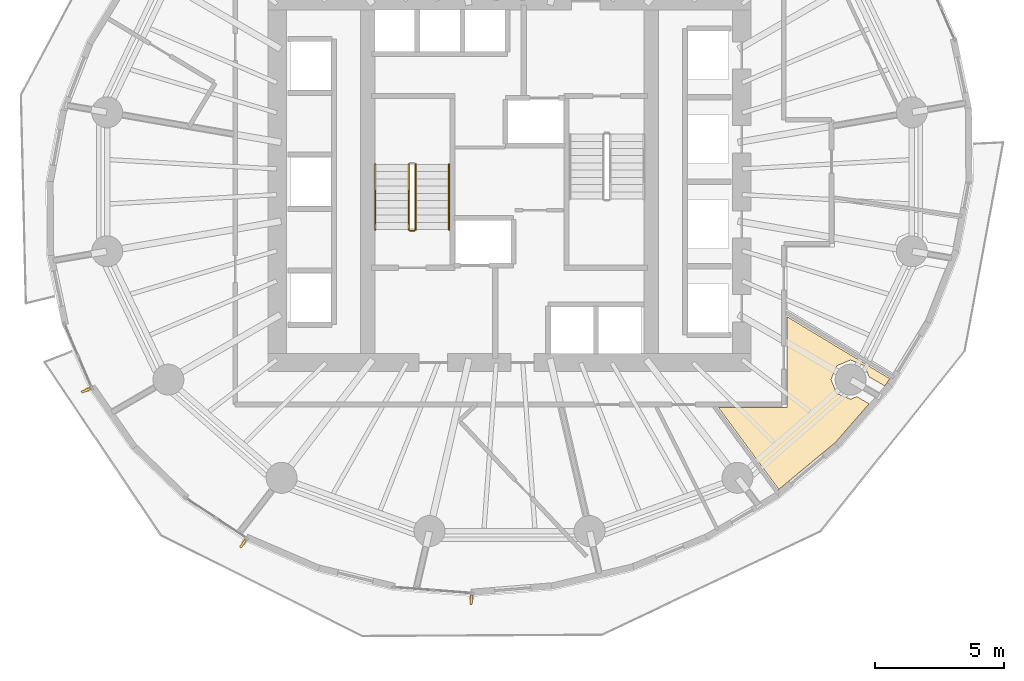
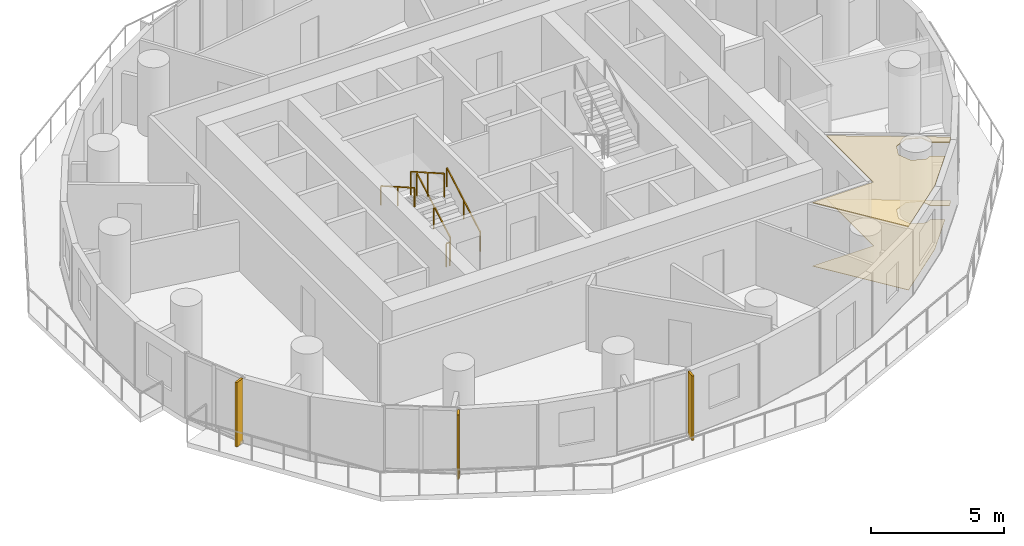
# One storey, part 11 of 14: 5 railings, 3 shading devices, 2 coverings.
"""IFC4 building model written with IfcOpenShell, lengths in metres."""

from ifc_helpers import new_model, si_unit, direction, frame, origin, origin_2d, place, context, subcontext, project, spatial, polyline, rectangle, outline, extrude, material, layer, layer_set, type_object, element, save


model = new_model("IFC4")

# Units and contexts
model_context = context("Model", 3, precision=1e-05, world=origin(), true_north=direction((0.0, 1.0)))
body_context = subcontext(model_context, "Body", "Model", "MODEL_VIEW")
ifc_project = project(units=[si_unit("LENGTHUNIT", "METRE"), si_unit("AREAUNIT", "SQUARE_METRE"), si_unit("VOLUMEUNIT", "CUBIC_METRE"), si_unit("PLANEANGLEUNIT", "RADIAN"), si_unit("MASSUNIT", "GRAM", prefix="KILO")], contexts=[model_context])

# Site, building, storey
site_placement = place(None, origin())
site = spatial("IfcSite", under=ifc_project, at=site_placement, CompositionType="ELEMENT")
building_placement = place(site_placement, origin())
building = spatial("IfcBuilding", under=site, at=building_placement, Name="Veldorim Arch Residences", CompositionType="ELEMENT")
storey_placement = place(building_placement, frame((0.0, 0.0, 74.080078125)))
storey = spatial("IfcBuildingStorey", under=building, at=storey_placement, Name="L21", CompositionType="ELEMENT", Elevation=74.080078125)

# Railings
ifc_material_1 = material(Name="Steel S355", Category="steel")
railing_type_1 = type_object("IfcRailingType", Name="Galvanised Steel Stair Safety Guardrail 1100", PredefinedType="GUARDRAIL", material=ifc_material_1)
railing_1_placement = place(storey_placement, frame((28.360107421875, 22.14990234375, 0.159912109375)))
element("IfcRailing", 1, at=railing_1_placement, inside=storey, type_object=railing_type_1, Name="L21 ST-1 stair guard 1", PredefinedType="GUARDRAIL", context=body_context, shape_type="SweptSolid", body=[
    extrude(rectangle(XDim=0.048095703125, YDim=0.048095703125, at=origin_2d()), frame((0.0, 0.0, 1.076171875), z_axis=(0.0, 0.868253494771, 0.496120820787), x_axis=(-1.0, 0.0, 0.0)), (0.0, 0.0, 1.0), 2.90234375),
    extrude(rectangle(XDim=0.0419921875, YDim=0.0419921875, at=origin_2d()), origin(), (0.0, 0.0, 1.0), 1.052001953125),
    extrude(rectangle(XDim=0.0419921875, YDim=0.0419921875, at=origin_2d()), frame((0.0, 1.260009765625, 0.719970703125)), (0.0, 0.0, 1.0), 1.052001953125),
    extrude(rectangle(XDim=0.0419921875, YDim=0.0419921875, at=origin_2d()), frame((0.0, 2.52001953125, 1.43994140625)), (0.0, 0.0, 1.0), 1.052001953125),
])
railing_2_placement = place(storey_placement, frame((28.10009765625, 24.669921875, 1.760009765625)))
element("IfcRailing", 2, at=railing_2_placement, inside=storey, type_object=railing_type_1, Name="L21 ST-1 stair guard 3", PredefinedType="GUARDRAIL", context=body_context, shape_type="SweptSolid", body=[
    extrude(rectangle(XDim=0.048095703125, YDim=0.048095703125, at=origin_2d()), frame((0.0, 0.0, 1.076171875), z_axis=(0.0, -0.868253494771, 0.496120820787), x_axis=(1.0, 0.0, 0.0)), (0.0, 0.0, 1.0), 2.90234375),
    extrude(rectangle(XDim=0.0419921875, YDim=0.0419921875, at=origin_2d()), origin(), (0.0, 0.0, 1.0), 1.052001953125),
    extrude(rectangle(XDim=0.0419921875, YDim=0.0419921875, at=origin_2d()), frame((0.0, -1.260009765625, 0.719970703125)), (0.0, 0.0, 1.0), 1.052001953125),
    extrude(rectangle(XDim=0.0419921875, YDim=0.0419921875, at=origin_2d()), frame((0.0, -2.52001953125, 1.43994140625)), (0.0, 0.0, 1.0), 1.052001953125),
])
railing_3_placement = place(storey_placement, frame((28.31005859375, 22.10009765625, 0.0)))
element("IfcRailing", 3, at=railing_3_placement, inside=storey, type_object=railing_type_1, Name="L21 ST-1 stair guard 4", PredefinedType="GUARDRAIL", context=body_context, shape_type="SweptSolid", body=[
    extrude(rectangle(XDim=0.048095703125, YDim=0.048095703125, at=origin_2d()), frame((0.0, 0.0, 1.076171875), z_axis=(-1.0, 0.0, 0.0), x_axis=(0.0, -1.0, 0.0)), (0.0, 0.0, 1.0), 0.16015625),
    extrude(rectangle(XDim=0.0419921875, YDim=0.0419921875, at=origin_2d()), origin(), (0.0, 0.0, 1.0), 1.052001953125),
    extrude(rectangle(XDim=0.0419921875, YDim=0.0419921875, at=origin_2d()), frame((-0.16015625, 0.0, 0.0)), (0.0, 0.0, 1.0), 1.052001953125),
])

# Coverings
ifc_material_2 = material(Name="Acoustic Gypsum & Mineral Fibre", Category="gypsum")
ifc_layer_1 = layer(ifc_material_2, 0.034912109375, Name="Perforated Acoustic Mineral-Fibre Ceiling 35")
ifc_layer_set_1 = layer_set([ifc_layer_1], Name="Acoustic Gypsum & Mineral Fibre")
covering_type_1 = type_object("IfcCoveringType", Name="Perforated Acoustic Mineral-Fibre Ceiling 35", PredefinedType="CEILING", material=ifc_layer_set_1)
covering_1_placement = place(storey_placement, frame((0.0, 0.0, 2.905029296875)))
element("IfcCovering", 4, at=covering_1_placement, inside=storey, type_object=covering_type_1, Name="L21 acoustic suspended ceiling 02", PredefinedType="CEILING", context=body_context, shape_type="SweptSolid", body=[
    extrude(outline(polyline([(45.7578125, 16.870361328125), (45.220458984375, 17.093017578125), (44.68310546875, 16.870361328125), (44.46044921875, 16.3330078125), (44.68310546875, 15.7958984375), (45.220458984375, 15.5732421875), (45.46142578125, 15.673095703125), (45.93701171875, 15.397216796875), (44.636474609375, 13.904541015625), (42.43701171875, 12.080078125), (40.09765625, 15.25), (42.75, 15.25), (42.75, 18.776123046875), (46.733154296875, 16.373291015625), (46.60595703125, 16.164794921875), (46.539306640625, 16.08837890625), (45.93701171875, 16.437744140625), (45.7578125, 16.870361328125)])), origin(), (0.0, 0.0, 1.0), 0.034912109375),
])
ifc_material_3 = material(Name="Porcelain Ceramic Tile", Category="ceramic")
ifc_layer_2 = layer(ifc_material_3, 0.02001953125, Name="Slip-Resistant Porcelain & Vinyl Floor Finish 20")
ifc_layer_set_2 = layer_set([ifc_layer_2], Name="Porcelain Ceramic Tile")
covering_type_2 = type_object("IfcCoveringType", Name="Slip-Resistant Porcelain & Vinyl Floor Finish 20", PredefinedType="FLOORING", material=ifc_layer_set_2)
covering_2_placement = place(storey_placement, origin())
element("IfcCovering", 5, at=covering_2_placement, inside=storey, type_object=covering_type_2, Name="L21 porcelain floor finish 02", PredefinedType="FLOORING", context=body_context, shape_type="SweptSolid", body=[
    extrude(outline(polyline([(45.7578125, 16.870361328125), (45.220458984375, 17.093017578125), (44.68310546875, 16.870361328125), (44.46044921875, 16.3330078125), (44.68310546875, 15.7958984375), (45.220458984375, 15.5732421875), (45.46142578125, 15.673095703125), (45.93701171875, 15.397216796875), (44.636474609375, 13.904541015625), (42.43701171875, 12.080078125), (40.09765625, 15.25), (42.75, 15.25), (42.75, 18.776123046875), (46.733154296875, 16.373291015625), (46.60595703125, 16.164794921875), (46.539306640625, 16.08837890625), (45.93701171875, 16.437744140625), (45.7578125, 16.870361328125)])), origin(), (0.0, 0.0, 1.0), 0.02001953125),
])

# Railings
ifc_material_4 = material(Name="Stainless Steel", Category="steel")
railing_type_2 = type_object("IfcRailingType", Name="Tubular Steel Continuous Wall Handrail 900", PredefinedType="HANDRAIL", material=ifc_material_4)
railing_4_placement = place(storey_placement, frame((29.659912109375, 22.14990234375, 0.159912109375)))
element("IfcRailing", 6, at=railing_4_placement, inside=storey, type_object=railing_type_2, Name="L21 ST-1 stair handrail 1", PredefinedType="HANDRAIL", context=body_context, shape_type="SweptSolid", body=[
    extrude(rectangle(XDim=0.048095703125, YDim=0.048095703125, at=origin_2d()), frame((0.0, 0.0, 0.8759765625), z_axis=(0.0, 0.868253494771, 0.496120820787), x_axis=(-1.0, 0.0, 0.0)), (0.0, 0.0, 1.0), 2.90234375),
    extrude(rectangle(XDim=0.0419921875, YDim=0.0419921875, at=origin_2d()), origin(), (0.0, 0.0, 1.0), 0.851806640625),
    extrude(rectangle(XDim=0.0419921875, YDim=0.0419921875, at=origin_2d()), frame((0.0, 1.260009765625, 0.719970703125)), (0.0, 0.0, 1.0), 0.851806640625),
    extrude(rectangle(XDim=0.0419921875, YDim=0.0419921875, at=origin_2d()), frame((0.0, 2.52001953125, 1.43994140625)), (0.0, 0.0, 1.0), 0.851806640625),
])
railing_5_placement = place(storey_placement, frame((26.800048828125, 24.669921875, 1.760009765625)))
element("IfcRailing", 7, at=railing_5_placement, inside=storey, type_object=railing_type_2, Name="L21 ST-1 stair handrail 2", PredefinedType="HANDRAIL", context=body_context, shape_type="SweptSolid", body=[
    extrude(rectangle(XDim=0.048095703125, YDim=0.048095703125, at=origin_2d()), frame((0.0, 0.0, 0.8759765625), z_axis=(0.0, -0.868253494771, 0.496120820787), x_axis=(1.0, 0.0, 0.0)), (0.0, 0.0, 1.0), 2.90234375),
    extrude(rectangle(XDim=0.0419921875, YDim=0.0419921875, at=origin_2d()), origin(), (0.0, 0.0, 1.0), 0.851806640625),
    extrude(rectangle(XDim=0.0419921875, YDim=0.0419921875, at=origin_2d()), frame((0.0, -1.260009765625, 0.719970703125)), (0.0, 0.0, 1.0), 0.851806640625),
    extrude(rectangle(XDim=0.0419921875, YDim=0.0419921875, at=origin_2d()), frame((0.0, -2.52001953125, 1.43994140625)), (0.0, 0.0, 1.0), 0.851806640625),
])

# Shading devices
ifc_material_5 = material(Name="Terracotta Ceramic", Category="masonry")
ifc_layer_3 = layer(ifc_material_5, 0.090087890625, Name="Vertical Extruded Terracotta Baguette Sun-Shading Fin")
ifc_layer_set_3 = layer_set([ifc_layer_3], Name="Terracotta Ceramic")
shading_device_type = type_object("IfcShadingDeviceType", Name="Vertical Extruded Terracotta Baguette Sun-Shading Fin", PredefinedType="USERDEFINED", material=ifc_layer_set_3)
for number, where, z_axis, x_axis, name in (
    (8, (15.583984375, 15.917236328125, 0.0), (0.0, 0.0, 1.0), (-0.396987706187, 0.917823927089, 0.0), "L21 vertical terracotta sun-shading fin 19"),
    (9, (21.671630859375, 9.974853515625, 0.0), (0.0, 0.0, 1.0), (-0.834174701276, 0.551500288078, 0.0), "L21 vertical terracotta sun-shading fin 22"),
    (10, (30.521728515625, 7.80029296875, 0.0), (0.0, 0.0, 1.0), (-0.997052752227, 0.076719028127, 0.0), "L21 vertical terracotta sun-shading fin 25"),
):
    element("IfcShadingDevice", number, at=place(storey_placement, frame(where, z_axis=z_axis, x_axis=x_axis)), inside=storey, type_object=shading_device_type, Name=name, ObjectType="FIN", PredefinedType="USERDEFINED", context=body_context, shape_type="SweptSolid", body=[
        extrude(rectangle(XDim=0.090087890625, YDim=0.360107421875, at=origin_2d()), origin(), (0.0, 0.0, 1.0), 2.9599609375),
    ])

save(model, "model.ifc")
